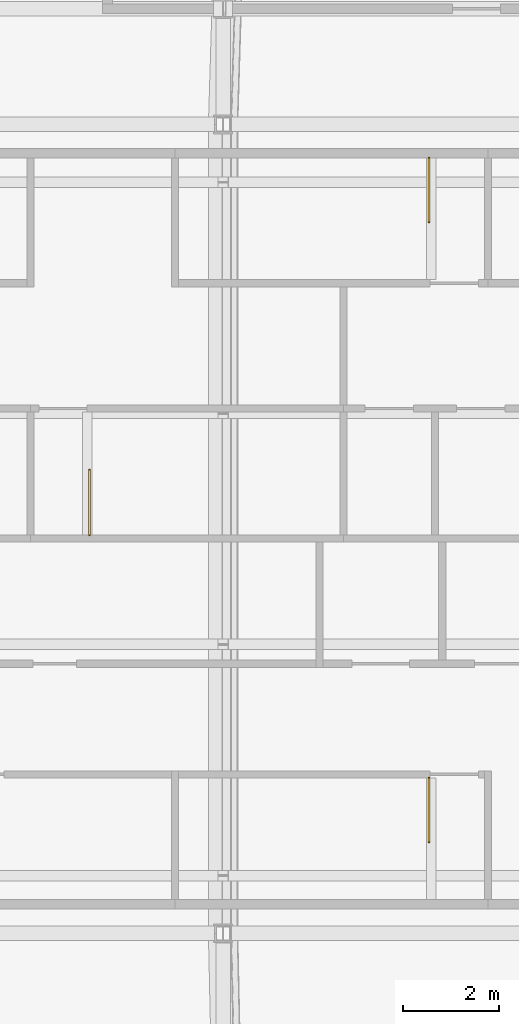
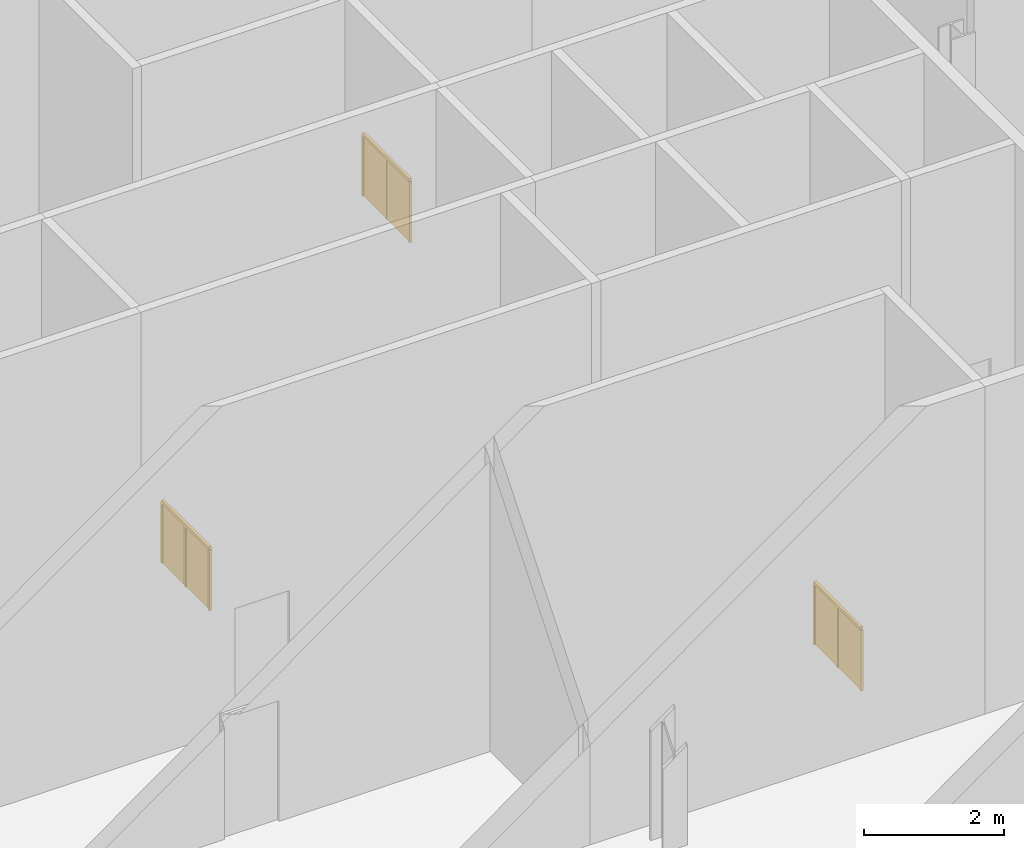
# One storey, part 21 of 21: 3 railings.
"""IFC4 building model written with IfcOpenShell, lengths in metres."""

from ifc_helpers import new_model, si_unit, direction, frame, origin, origin_2d, place, context, subcontext, project, spatial, polyline, rectangle, outline, extrude, material, type_object, element, save


model = new_model("IFC4")

# Units and contexts
model_context = context("Model", 3, precision=1e-05, world=origin(), true_north=direction((0.0, 1.0)))
body_context = subcontext(model_context, "Body", "Model", "MODEL_VIEW")
ifc_project = project(units=[si_unit("LENGTHUNIT", "METRE"), si_unit("AREAUNIT", "SQUARE_METRE"), si_unit("VOLUMEUNIT", "CUBIC_METRE"), si_unit("PLANEANGLEUNIT", "RADIAN"), si_unit("MASSUNIT", "GRAM", prefix="KILO")], contexts=[model_context])

# Site, building, storey
site_placement = place(None, origin())
site = spatial("IfcSite", under=ifc_project, at=site_placement, CompositionType="ELEMENT")
building_placement = place(site_placement, origin())
building = spatial("IfcBuilding", under=site, at=building_placement, Name="Cairn Pilgrim Tower", CompositionType="ELEMENT")
storey_placement = place(building_placement, frame((0.0, 0.0, 295.800048828125)))
storey = spatial("IfcBuildingStorey", under=building, at=storey_placement, Name="L76", CompositionType="ELEMENT", Elevation=295.800048828125)

# Railings
ifc_material = material(Name="Painted steel", Category="steel")
railing_type = type_object("IfcRailingType", Name="STAIR GUARD 1100", PredefinedType="GUARDRAIL", material=ifc_material)
railing_1_placement = place(storey_placement, frame((11.47509765625, -2.77490234375, 0.0)))
element("IfcRailing", 1, at=railing_1_placement, inside=storey, type_object=railing_type, Name="L76 ST-A top well guard 1", PredefinedType="GUARDRAIL", context=body_context, shape_type="SweptSolid", body=[
    extrude(rectangle(XDim=0.048095703125, YDim=0.048095703125, at=origin_2d()), frame((0.0, 0.0, 1.076171875), z_axis=(0.0, -1.0, 0.0), x_axis=(1.0, 0.0, 0.0)), (0.0, 0.0, 1.0), 1.3251953125),
    extrude(rectangle(XDim=0.0419921875, YDim=0.0419921875, at=origin_2d()), origin(), (0.0, 0.0, 1.0), 1.052001953125),
    extrude(rectangle(XDim=0.0419921875, YDim=0.0419921875, at=origin_2d()), frame((0.0, -0.66259765625, 0.0)), (0.0, 0.0, 1.0), 1.052001953125),
    extrude(rectangle(XDim=0.0419921875, YDim=0.0419921875, at=origin_2d()), frame((0.0, -1.3251953125, 0.0)), (0.0, 0.0, 1.0), 1.052001953125),
    extrude(outline(polyline([(0.02099609375, 0.0), (0.6416015625, 0.0), (0.6416015625, 1.052001953125), (0.02099609375, 1.052001953125), (0.02099609375, 0.0)])), frame((0.005859375, 0.0, 0.0), z_axis=(-1.0, 0.0, 0.0), x_axis=(0.0, -1.0, 0.0)), (0.0, 0.0, 1.0), 0.011962890625),
    extrude(outline(polyline([(0.02099609375, 0.0), (0.6416015625, 0.0), (0.6416015625, 1.052001953125), (0.02099609375, 1.052001953125), (0.02099609375, 0.0)])), frame((0.005859375, -0.66259765625, 0.0), z_axis=(-1.0, 0.0, 0.0), x_axis=(0.0, -1.0, 0.0)), (0.0, 0.0, 1.0), 0.011962890625),
])
railing_2_placement = place(storey_placement, frame((4.425048828125, 2.27490234375, 0.0)))
element("IfcRailing", 2, at=railing_2_placement, inside=storey, type_object=railing_type, Name="L76 ST-B top well guard 1", PredefinedType="GUARDRAIL", context=body_context, shape_type="SweptSolid", body=[
    extrude(rectangle(XDim=0.048095703125, YDim=0.048095703125, at=origin_2d()), frame((0.0, 0.0, 1.076171875), z_axis=(0.0, 1.0, 0.0), x_axis=(-1.0, 0.0, 0.0)), (0.0, 0.0, 1.0), 1.35009765625),
    extrude(rectangle(XDim=0.0419921875, YDim=0.0419921875, at=origin_2d()), origin(), (0.0, 0.0, 1.0), 1.052001953125),
    extrude(rectangle(XDim=0.0419921875, YDim=0.0419921875, at=origin_2d()), frame((0.0, 0.675048828125, 0.0)), (0.0, 0.0, 1.0), 1.052001953125),
    extrude(rectangle(XDim=0.0419921875, YDim=0.0419921875, at=origin_2d()), frame((0.0, 1.35009765625, 0.0)), (0.0, 0.0, 1.0), 1.052001953125),
    extrude(outline(polyline([(0.02099609375, 0.0), (0.654052734375, 0.0), (0.654052734375, 1.052001953125), (0.02099609375, 1.052001953125), (0.02099609375, 0.0)])), frame((-0.005859375, 0.0, 0.0), z_axis=(1.0, 0.0, 0.0), x_axis=(0.0, 1.0, 0.0)), (0.0, 0.0, 1.0), 0.011962890625),
    extrude(outline(polyline([(0.02099609375, 0.0), (0.654052734375, 0.0), (0.654052734375, 1.052001953125), (0.02099609375, 1.052001953125), (0.02099609375, 0.0)])), frame((-0.005859375, 0.675048828125, 0.0), z_axis=(1.0, 0.0, 0.0), x_axis=(0.0, 1.0, 0.0)), (0.0, 0.0, 1.0), 0.011962890625),
])
railing_3_placement = place(storey_placement, frame((11.47509765625, 10.10009765625, 0.0)))
element("IfcRailing", 3, at=railing_3_placement, inside=storey, type_object=railing_type, Name="L76 ST-C top well guard 1", PredefinedType="GUARDRAIL", context=body_context, shape_type="SweptSolid", body=[
    extrude(rectangle(XDim=0.048095703125, YDim=0.048095703125, at=origin_2d()), frame((0.0, 0.0, 1.076171875), z_axis=(0.0, -1.0, 0.0), x_axis=(1.0, 0.0, 0.0)), (0.0, 0.0, 1.0), 1.3251953125),
    extrude(rectangle(XDim=0.0419921875, YDim=0.0419921875, at=origin_2d()), origin(), (0.0, 0.0, 1.0), 1.052001953125),
    extrude(rectangle(XDim=0.0419921875, YDim=0.0419921875, at=origin_2d()), frame((0.0, -0.66259765625, 0.0)), (0.0, 0.0, 1.0), 1.052001953125),
    extrude(rectangle(XDim=0.0419921875, YDim=0.0419921875, at=origin_2d()), frame((0.0, -1.3251953125, 0.0)), (0.0, 0.0, 1.0), 1.052001953125),
    extrude(outline(polyline([(0.02099609375, 0.0), (0.6416015625, 0.0), (0.6416015625, 1.052001953125), (0.02099609375, 1.052001953125), (0.02099609375, 0.0)])), frame((0.005859375, 0.0, 0.0), z_axis=(-1.0, 0.0, 0.0), x_axis=(0.0, -1.0, 0.0)), (0.0, 0.0, 1.0), 0.011962890625),
    extrude(outline(polyline([(0.02099609375, 0.0), (0.6416015625, 0.0), (0.6416015625, 1.052001953125), (0.02099609375, 1.052001953125), (0.02099609375, 0.0)])), frame((0.005859375, -0.66259765625, 0.0), z_axis=(-1.0, 0.0, 0.0), x_axis=(0.0, -1.0, 0.0)), (0.0, 0.0, 1.0), 0.011962890625),
])

save(model, "model.ifc")
